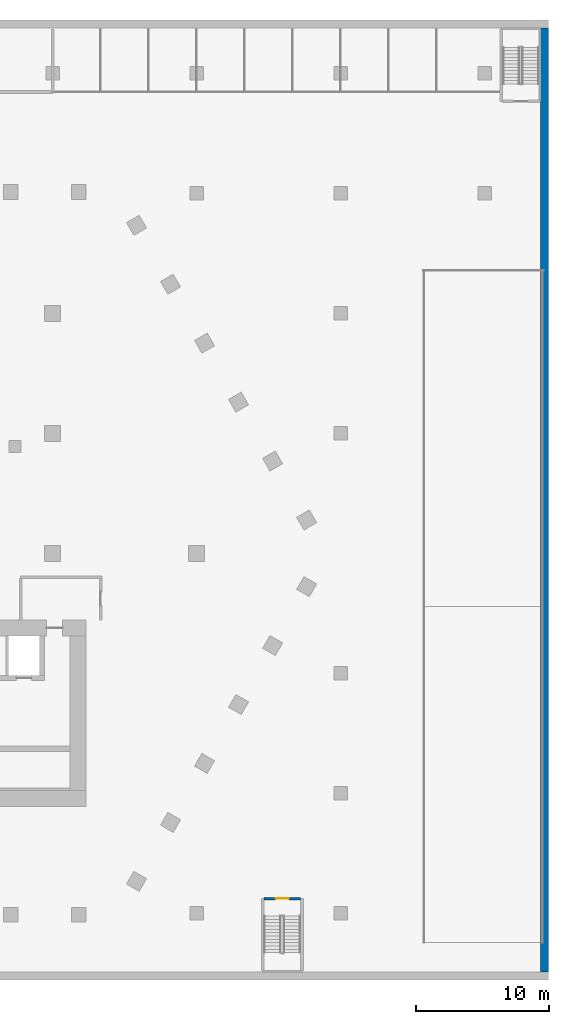
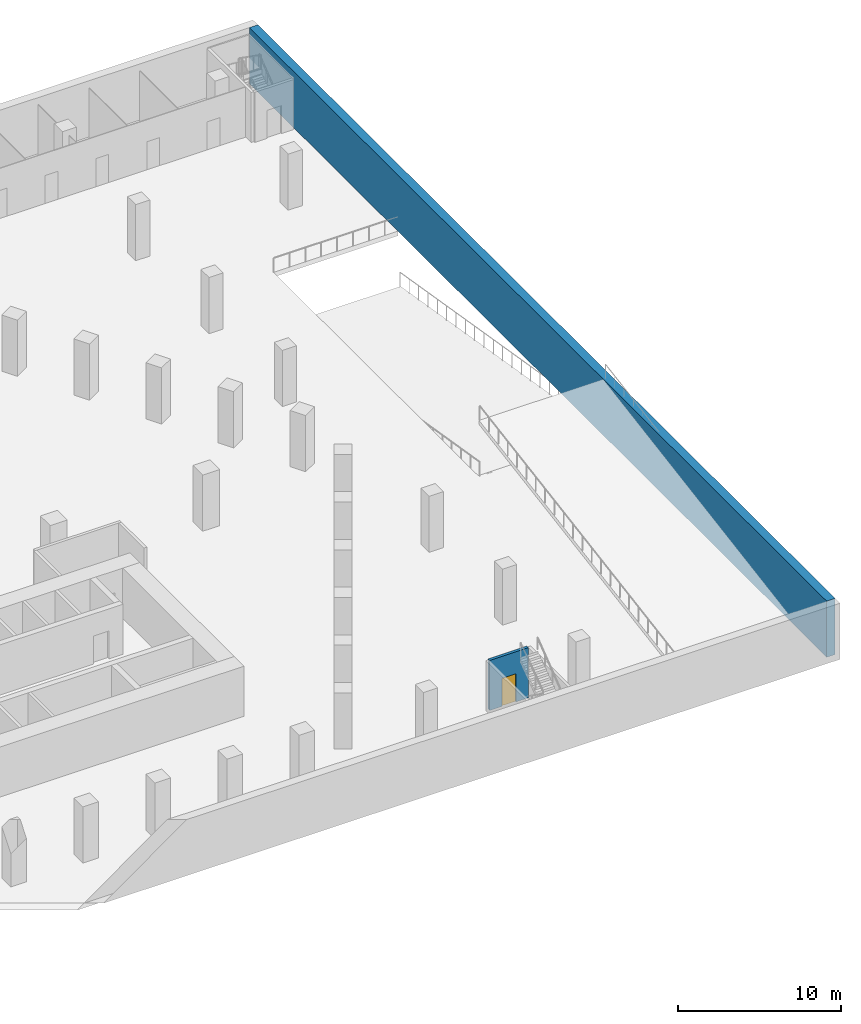
# One storey, part 7 of 20: 2 walls, 1 door, 1 opening.
"""IFC4 building model written with IfcOpenShell, lengths in metres."""

import ifcopenshell
import ifcopenshell.guid

model = None  # the IFC model being written
_history = None  # IfcOwnerHistory: only IFC2X3 demands one
_inside = {}  # id of a spatial element -> (the spatial element, [elements in it])
_under = {}  # id of a project, library or spatial element -> (it, [spatial elements below it])
_declared = {}  # id of a project -> (the project, [libraries it declares])
_typed = {}  # id of a type object -> (the type object, [elements of that type])
_made_of = {}  # id of a material, layer set ... -> (it, [elements and type objects made of it])


def new_model(schema):
    """Start an empty IFC model of exactly this schema.

    Asked for "IFC4X3", IfcOpenShell would pick the latest addendum, in which some entities
    have other attributes; the version numbers below select the first issue.
    IFC2X3 requires an IfcOwnerHistory on every rooted entity: one is made here for all.
    """
    global model, _history
    if schema == "IFC4X3":
        model = ifcopenshell.file(schema_version=(4, 3, 0, 0))
    else:
        model = ifcopenshell.file(schema=schema)
    _inside.clear()
    _under.clear()
    _declared.clear()
    _typed.clear()
    _made_of.clear()
    _history = None
    if model.schema == "IFC2X3":
        org = make("IfcOrganization", Name="unknown")
        user = make(
            "IfcPersonAndOrganization",
            ThePerson=make("IfcPerson", FamilyName="unknown"),
            TheOrganization=org,
        )
        app = make(
            "IfcApplication",
            ApplicationDeveloper=org,
            Version="unknown",
            ApplicationFullName="unknown",
            ApplicationIdentifier="unknown",
        )
        _history = make(
            "IfcOwnerHistory",
            OwningUser=user,
            OwningApplication=app,
            ChangeAction="ADDED",
            CreationDate=0,
        )
    return model


def make(cls, **values):
    """One entity of the class cls with the attributes given. An attribute that is None is left unset."""
    return model.create_entity(
        cls, **{name: value for name, value in values.items() if value is not None}
    )


def rooted(cls, **values):
    """An entity with a GlobalId (a new one), such as an element, a storey or a relation."""
    return make(cls, GlobalId=ifcopenshell.guid.new(), OwnerHistory=_history, **values)


def si_unit(unit_type, name, prefix=None):
    """IfcSIUnit, for example si_unit("LENGTHUNIT", "METRE", prefix="MILLI")."""
    return make("IfcSIUnit", UnitType=unit_type, Prefix=prefix, Name=name)


def assignment(units):
    """IfcUnitAssignment: the units of a project."""
    return None if units is None else make("IfcUnitAssignment", Units=units)


def point(xyz):
    """IfcCartesianPoint."""
    return None if xyz is None else make("IfcCartesianPoint", Coordinates=xyz)


def direction(xyz):
    """IfcDirection."""
    return None if xyz is None else make("IfcDirection", DirectionRatios=xyz)


def frame(location, z_axis=None, x_axis=None):
    """IfcAxis2Placement3D, a coordinate frame: its origin and axes. An axis left out is left unset."""
    return make(
        "IfcAxis2Placement3D",
        Location=point(location),
        Axis=direction(z_axis),
        RefDirection=direction(x_axis),
    )


def frame_2d(location, x_axis=None):
    """IfcAxis2Placement2D, a coordinate frame in the plane: its origin and x axis."""
    return make(
        "IfcAxis2Placement2D", Location=point(location), RefDirection=direction(x_axis)
    )


def origin():
    """The frame at (0, 0, 0) with its axes left unset."""
    return frame((0.0, 0.0, 0.0))


def place(relative_to, where):
    """IfcLocalPlacement: puts the frame where relative to a parent placement (None: the world)."""
    return make(
        "IfcLocalPlacement", PlacementRelTo=relative_to, RelativePlacement=where
    )


def context(
    kind, dimensions, precision=None, world=None, true_north=None, identifier=None
):
    """IfcGeometricRepresentationContext, for example the 3D "Model" context."""
    return make(
        "IfcGeometricRepresentationContext",
        ContextIdentifier=identifier,
        ContextType=kind,
        CoordinateSpaceDimension=dimensions,
        Precision=precision,
        WorldCoordinateSystem=world,
        TrueNorth=true_north,
    )


def subcontext(parent, identifier, kind, view, scale=None):
    """IfcGeometricRepresentationSubContext, for example "Body" below "Model"."""
    return make(
        "IfcGeometricRepresentationSubContext",
        ContextIdentifier=identifier,
        ContextType=kind,
        ParentContext=parent,
        TargetScale=scale,
        TargetView=view,
    )


def project(units=None, contexts=None):
    """IfcProject with its units and contexts."""
    return rooted(
        "IfcProject",
        Name="project",
        RepresentationContexts=contexts,
        UnitsInContext=assignment(units),
    )


def spatial(cls, under=None, at=None, **own):
    """A site, building, storey or space (cls), placed at a placement, below another one or the project."""
    s = rooted(cls, ObjectPlacement=at, **own)
    if under is not None:
        _under.setdefault(under.id(), (under, []))[1].append(s)
    return s


def profile(cls, at=None, kind="AREA", **sizes):
    """A parametric profile (cls). Its sizes go by their IFC names, for example OverallWidth=200.0."""
    return make(cls, ProfileType=kind, Position=at, **sizes)


def rectangle(**sizes):
    """IfcRectangleProfileDef."""
    return profile("IfcRectangleProfileDef", **sizes)


def extrude(swept, where, along, depth):
    """IfcExtrudedAreaSolid: the profile swept, set in the frame where, extruded along a direction by depth."""
    return make(
        "IfcExtrudedAreaSolid",
        SweptArea=swept,
        Position=where,
        ExtrudedDirection=direction(along),
        Depth=depth,
    )


def shape(context_of_items, identifier, shape_type, items):
    """IfcShapeRepresentation: the items that make up one representation, for example the "Body"."""
    return make(
        "IfcShapeRepresentation",
        ContextOfItems=context_of_items,
        RepresentationIdentifier=identifier,
        RepresentationType=shape_type,
        Items=items,
    )


def material(Name=None, Category=None):
    """IfcMaterial."""
    return make("IfcMaterial", Name=Name, Category=Category)


def layer(
    of_material, thickness, ventilated=None, Name=None, Category=None, Priority=None
):
    """IfcMaterialLayer: one layer of a wall or slab, of a material (None: an air gap)."""
    return make(
        "IfcMaterialLayer",
        Material=of_material,
        LayerThickness=thickness,
        IsVentilated=ventilated,
        Name=Name,
        Category=Category,
        Priority=Priority,
    )


def layer_set(layers, Name=None):
    """IfcMaterialLayerSet."""
    return make("IfcMaterialLayerSet", MaterialLayers=layers, LayerSetName=Name)


def made_of(thing, what):
    """Note that an element or type object is made of a material, layer set ...; save() writes the relation."""
    if what is not None:
        _made_of.setdefault(what.id(), (what, []))[1].append(thing)
    return thing


def type_object(cls, material=None, **own):
    """A type object (cls), such as IfcWallType, which elements share."""
    return made_of(rooted(cls, **own), material)


def element(
    cls,
    number,
    at=None,
    inside=None,
    cuts=None,
    type_object=None,
    material=None,
    context=None,
    identifier="Body",
    shape_type=None,
    held_by="IfcProductDefinitionShape",
    body=None,
    shapes=None,
    **own,
):
    """One element of the class cls, such as IfcWall. Its Tag is "e" and its number.

    at: its placement. inside: the storey or other place that contains it. cuts: it is an
    opening in that element (IfcRelVoidsElement). A single representation is given by context,
    identifier, shape_type and body (its items); several are given by shapes. held_by: the class
    of the entity that holds the representations. save() writes the other relations.
    """
    e = rooted(cls, Tag="e%d" % number, ObjectPlacement=at, **own)
    if body is not None:
        shapes = [shape(context, identifier, shape_type, body)]
    if shapes is not None:
        e.Representation = make(held_by, Representations=shapes)
    if inside is not None:
        _inside.setdefault(inside.id(), (inside, []))[1].append(e)
    if cuts is not None:
        rooted(
            "IfcRelVoidsElement", RelatingBuildingElement=cuts, RelatedOpeningElement=e
        )
    if type_object is not None:
        _typed.setdefault(type_object.id(), (type_object, []))[1].append(e)
    return made_of(e, material)


def fill(opening, filler):
    """IfcRelFillsElement: the door or window that sits in an opening."""
    return rooted(
        "IfcRelFillsElement",
        RelatingOpeningElement=opening,
        RelatedBuildingElement=filler,
    )


def aggregate(whole, parts):
    """IfcRelAggregates: a whole, such as a stair, and the parts it consists of."""
    return rooted("IfcRelAggregates", RelatingObject=whole, RelatedObjects=parts)


def save(model, path):
    """Write the relations noted so far, then the file.

    IfcRelAggregates (storeys below a building ...), IfcRelContainedInSpatialStructure (elements
    in a storey), IfcRelDefinesByType, IfcRelAssociatesMaterial and IfcRelDeclares: one each for
    every whole, place, type object, material and project.
    """
    for whole, parts in _under.values():
        aggregate(whole, parts)
    for where, things in _inside.values():
        rooted(
            "IfcRelContainedInSpatialStructure",
            RelatedElements=things,
            RelatingStructure=where,
        )
    for kind, things in _typed.values():
        rooted("IfcRelDefinesByType", RelatedObjects=things, RelatingType=kind)
    for what, things in _made_of.values():
        rooted("IfcRelAssociatesMaterial", RelatedObjects=things, RelatingMaterial=what)
    for by, libraries in _declared.values():
        rooted("IfcRelDeclares", RelatingContext=by, RelatedDefinitions=libraries)
    model.write(path)


model = new_model("IFC4")

# Units and contexts
model_context = context("Model", 3, precision=1e-05, world=origin(), true_north=direction((0.0, 1.0)))
body_context = subcontext(model_context, "Body", "Model", "MODEL_VIEW")
ifc_project = project(units=[si_unit("LENGTHUNIT", "METRE"), si_unit("AREAUNIT", "SQUARE_METRE"), si_unit("VOLUMEUNIT", "CUBIC_METRE"), si_unit("PLANEANGLEUNIT", "RADIAN"), si_unit("MASSUNIT", "GRAM", prefix="KILO")], contexts=[model_context])

# Site, building, storey
site_placement = place(None, origin())
site = spatial("IfcSite", under=ifc_project, at=site_placement, CompositionType="ELEMENT")
building_placement = place(site_placement, origin())
building = spatial("IfcBuilding", under=site, at=building_placement, Name="Beryl Residences", CompositionType="ELEMENT")
storey_placement = place(building_placement, frame((0.0, 0.0, -4.199951171875)))
storey = spatial("IfcBuildingStorey", under=building, at=storey_placement, Name="B1", CompositionType="ELEMENT", Elevation=-4.199951171875)

# Wall, opening, door
ifc_material_1 = material(Name="Concrete C40/50", Category="concrete")
ifc_layer_1 = layer(ifc_material_1, 0.199951171875)
ifc_layer_set_1 = layer_set([ifc_layer_1], Name="PT5 stair enclosure wall 200 mm reinforced concrete C40/50")
wall_type_1 = type_object("IfcWallType", Name="PT5 stair enclosure wall 200 mm reinforced concrete C40/50", PredefinedType="SOLIDWALL", material=ifc_layer_set_1)
wall_1_placement = place(storey_placement, frame((26.64990234375, -25.89990234375, 0.0), z_axis=(0.0, 0.0, 1.0), x_axis=(1.0, 0.0, 0.0)))
wall_1 = element("IfcWall", 1, at=wall_1_placement, inside=storey, type_object=wall_type_1, Name="Wall PT5 B1 003", PredefinedType="SOLIDWALL", context=body_context, shape_type="SweptSolid", body=[
    extrude(rectangle(XDim=2.75, YDim=0.199951171875, at=frame_2d((1.375, 0.0))), origin(), (0.0, 0.0, 1.0), 3.75),
])
opening_placement = place(wall_1_placement, frame((1.875, 0.0, 0.0), z_axis=(0.0, 0.0, 1.0), x_axis=(-1.0, 0.0, 0.0)))
opening = element("IfcOpeningElement", 2, at=opening_placement, cuts=wall_1, Name="Opening B1-06", PredefinedType="OPENING", context=body_context, shape_type="SweptSolid", body=[
    extrude(rectangle(XDim=1.0, YDim=2.10009765625, at=frame_2d((0.5, 1.050048828125))), frame((0.0, 0.10986328125, 0.0), z_axis=(0.0, -1.0, 0.0), x_axis=(1.0, 0.0, 0.0)), (0.0, 0.0, 1.0), 0.219970703125),
])
ifc_material_2 = material(Name="Steel door leaf in steel frame", Category="steel")
door_type = type_object("IfcDoorType", Name="D15 stair door 1000 x 2100 mm", OperationType="SINGLE_SWING_LEFT", PredefinedType="DOOR", material=ifc_material_2)
door_placement = place(opening_placement, origin())
door = element("IfcDoor", 3, at=door_placement, inside=storey, type_object=door_type, Name="Door B1-06 B1 001", OperationType="SINGLE_SWING_LEFT", OverallHeight=2.10009765625, OverallWidth=1.0, PredefinedType="DOOR", context=body_context, shape_type="SweptSolid", body=[
    extrude(rectangle(XDim=1.0, YDim=2.10009765625, at=frame_2d((0.5, 1.050048828125))), frame((0.0, 0.02490234375, 0.0), z_axis=(0.0, -1.0, 0.0), x_axis=(1.0, 0.0, 0.0)), (0.0, 0.0, 1.0), 0.050048828125),
])
fill(opening, door)

# Wall
ifc_material_3 = material(Name="Concrete C50/60", Category="concrete")
ifc_layer_2 = layer(ifc_material_3, 0.60009765625)
ifc_layer_set_2 = layer_set([ifc_layer_2], Name="RW1 basement wall 600 mm C50/60")
wall_type_2 = type_object("IfcWallType", Name="RW1 basement wall 600 mm C50/60", PredefinedType="SOLIDWALL", material=ifc_layer_set_2)
wall_2_placement = place(storey_placement, frame((47.699951171875, -31.39990234375, 0.0), z_axis=(0.0, 0.0, 1.0), x_axis=(0.0, 1.0, 0.0)))
element("IfcWall", 4, at=wall_2_placement, inside=storey, type_object=wall_type_2, Name="RW1 B1 E", PredefinedType="SOLIDWALL", context=body_context, shape_type="SweptSolid", body=[
    extrude(rectangle(XDim=70.7998046875, YDim=0.60009765625, at=frame_2d((35.39990234375, 0.0))), origin(), (0.0, 0.0, 1.0), 4.199951171875),
])

save(model, "model.ifc")
